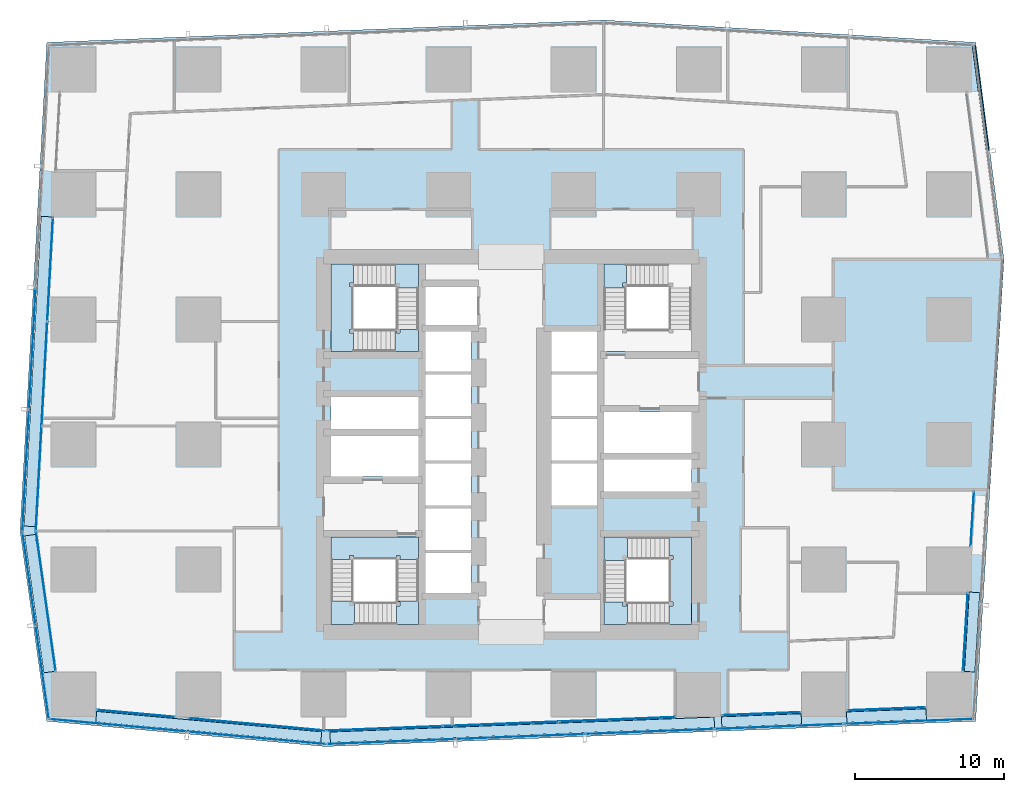
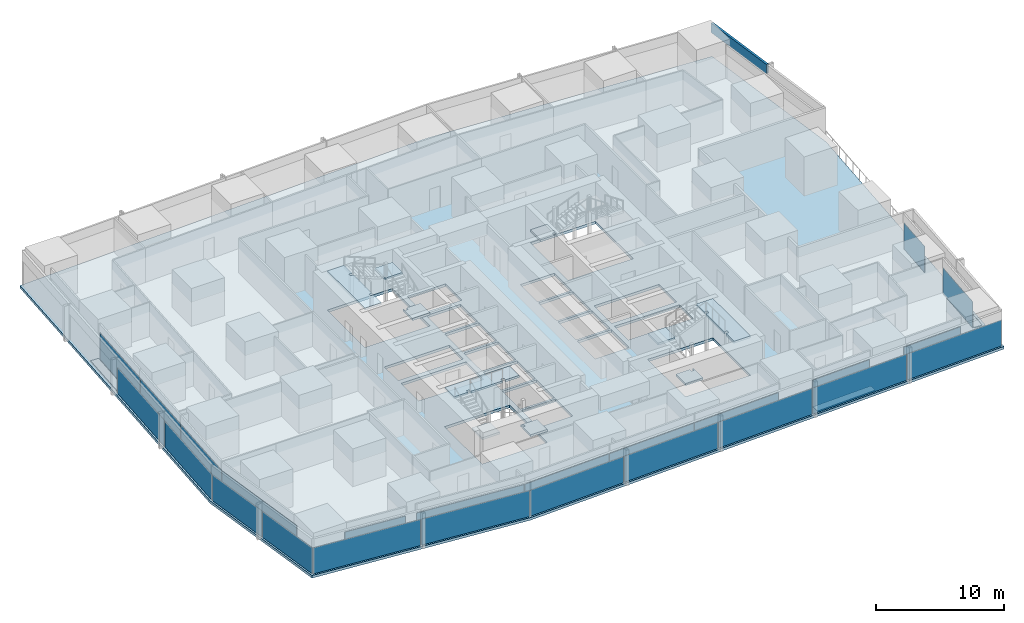
# One storey, part 25 of 38: 31 plates, 11 slabs, 1 member, 18 elements without a shape of their own.
"""IFC4 building model written with IfcOpenShell, lengths in metres."""

from ifc_helpers import new_model, si_unit, direction, frame, origin, origin_2d, place, context, subcontext, project, spatial, polyline, rectangle, hollow_rectangle, outline, extrude, material, layer, layer_set, material_profile, profile_set, type_object, element, aggregate, save


model = new_model("IFC4")

# Units and contexts
model_context = context("Model", 3, precision=1e-05, world=origin(), true_north=direction((0.0, 1.0)))
body_context = subcontext(model_context, "Body", "Model", "MODEL_VIEW")
ifc_project = project(units=[si_unit("LENGTHUNIT", "METRE"), si_unit("AREAUNIT", "SQUARE_METRE"), si_unit("VOLUMEUNIT", "CUBIC_METRE"), si_unit("PLANEANGLEUNIT", "RADIAN"), si_unit("MASSUNIT", "GRAM", prefix="KILO")], contexts=[model_context])

# Site, building, storey
site_placement = place(None, origin())
site = spatial("IfcSite", under=ifc_project, at=site_placement, CompositionType="ELEMENT")
building_placement = place(site_placement, origin())
building = spatial("IfcBuilding", under=site, at=building_placement, Name="Rekha Terrace Tower", CompositionType="ELEMENT")
storey_placement = place(building_placement, frame((0.0, 0.0, 159.050048828125)))
storey = spatial("IfcBuildingStorey", under=building, at=storey_placement, Name="L40", CompositionType="ELEMENT", Elevation=159.050048828125)

# Curtain wall, member
ifc_material_1 = material(Name="Aluminium framing", Category="aluminium")
curtain_wall_type_1 = type_object("IfcCurtainWallType", Name="CW2 double skin outer glazing", PredefinedType="USERDEFINED", material=ifc_material_1)
curtain_wall_1_placement = place(storey_placement, origin())
curtain_wall_1 = element("IfcCurtainWall", 1, at=curtain_wall_1_placement, inside=storey, type_object=curtain_wall_type_1, Name="CW2 double skin outer glazing", ObjectType="DOUBLE SKIN OUTER GLAZING", PredefinedType="USERDEFINED")
ifc_material_2 = material(Name="Insulated aluminium spandrel box", Category="aluminium")
ifc_material_profile = material_profile(ifc_material_2, hollow_rectangle(XDim=0.199951171875, YDim=0.89990234375, WallThickness=0.0029296875, at=origin_2d()), Name="AL SPANDREL BOX 200x900")
ifc_profile_set = profile_set([ifc_material_profile], Name="Insulated aluminium spandrel box")
member_type = type_object("IfcMemberType", Name="CW2 spandrel transom 200 x 900", PredefinedType="USERDEFINED", material=ifc_profile_set)
member_placement = place(storey_placement, frame((69.787109375, 53.315185546875, 2.949951171875), z_axis=(-0.129119086745, 0.991629094691, 0.0), x_axis=(-0.991629094691, -0.129119086745, 0.0)))
member = element("IfcMember", 2, at=member_placement, type_object=member_type, Name="CW2 spandrel transom 2", ObjectType="TRANSOM", PredefinedType="USERDEFINED", context=body_context, shape_type="SweptSolid", body=[
    extrude(hollow_rectangle(XDim=0.199951171875, YDim=0.89990234375, WallThickness=0.0029296875, at=origin_2d()), origin(), (0.0, 0.0, 1.0), 7.11328125),
])
aggregate(curtain_wall_1, [member])

# Curtain wall, plate
curtain_wall_type_2 = type_object("IfcCurtainWallType", Name="CW1 double skin inner glazing", PredefinedType="USERDEFINED", material=ifc_material_1)
curtain_wall_2_placement = place(storey_placement, origin())
curtain_wall_2 = element("IfcCurtainWall", 3, at=curtain_wall_2_placement, inside=storey, type_object=curtain_wall_type_2, Name="CW1 double skin inner glazing", ObjectType="DOUBLE SKIN INNER GLAZING", PredefinedType="USERDEFINED")
ifc_material_3 = material(Name="Double-glazed low-e unit 32", Category="glass")
ifc_layer_1 = layer(ifc_material_3, 0.031982421875)
ifc_layer_set_1 = layer_set([ifc_layer_1], Name="Double-glazed low-e unit 32")
plate_type_1 = type_object("IfcPlateType", Name="CW1 jumbo vision panel, double-glazed low-e unit 32", PredefinedType="CURTAIN_PANEL", material=ifc_layer_set_1)
plate_1_placement = place(storey_placement, frame((12.60009765625, 15.51953125, 0.0), z_axis=(0.0, 0.0, 1.0), x_axis=(0.995901923134, -0.090439811468, 0.0)))
plate_1 = element("IfcPlate", 4, at=plate_1_placement, type_object=plate_type_1, Name="CW1 panel 1.1", PredefinedType="CURTAIN_PANEL", context=body_context, shape_type="SweptSolid", body=[
    extrude(rectangle(XDim=5.23486328125, YDim=0.031982421875, at=origin_2d()), origin(), (0.0, 0.0, 1.0), 2.5),
])
aggregate(curtain_wall_2, [plate_1])

curtain_wall_3_placement = place(storey_placement, origin())
curtain_wall_3 = element("IfcCurtainWall", 5, at=curtain_wall_3_placement, inside=storey, type_object=curtain_wall_type_2, Name="CW1 double skin inner glazing", ObjectType="DOUBLE SKIN INNER GLAZING", PredefinedType="USERDEFINED")
plate_2_placement = place(storey_placement, frame((20.745361328125, 14.77978515625, 0.0), z_axis=(0.0, 0.0, 1.0), x_axis=(0.995901923143, -0.090439811364, 0.0)))
plate_2 = element("IfcPlate", 6, at=plate_2_placement, type_object=plate_type_1, Name="CW1 panel 1.1", PredefinedType="CURTAIN_PANEL", context=body_context, shape_type="SweptSolid", body=[
    extrude(rectangle(XDim=9.241943359375, YDim=0.031982421875, at=origin_2d()), origin(), (0.0, 0.0, 1.0), 2.5),
])
aggregate(curtain_wall_3, [plate_2])

# Curtain wall, plates
curtain_wall_4_placement = place(storey_placement, origin())
curtain_wall_4 = element("IfcCurtainWall", 7, at=curtain_wall_4_placement, inside=storey, type_object=curtain_wall_type_2, Name="CW1 double skin inner glazing", ObjectType="DOUBLE SKIN INNER GLAZING", PredefinedType="USERDEFINED")
plate_3_placement = place(storey_placement, frame((29.285888671875, 14.51513671875, 0.0), z_axis=(0.0, 0.0, 1.0), x_axis=(0.999243498917, 0.038889971345, 0.0)))
plate_3 = element("IfcPlate", 8, at=plate_3_placement, type_object=plate_type_1, Name="CW1 panel 1.1", PredefinedType="CURTAIN_PANEL", context=body_context, shape_type="SweptSolid", body=[
    extrude(rectangle(XDim=7.7529296875, YDim=0.031982421875, at=origin_2d()), origin(), (0.0, 0.0, 1.0), 2.5),
])
plate_4_placement = place(storey_placement, frame((37.1142578125, 14.81982421875, 0.0), z_axis=(0.0, 0.0, 1.0), x_axis=(0.999243498917, 0.038889971345, 0.0)))
plate_4 = element("IfcPlate", 9, at=plate_4_placement, type_object=plate_type_1, Name="CW1 panel 2.1", PredefinedType="CURTAIN_PANEL", context=body_context, shape_type="SweptSolid", body=[
    extrude(rectangle(XDim=7.785400390625, YDim=0.031982421875, at=origin_2d()), origin(), (0.0, 0.0, 1.0), 2.5),
])
plate_5_placement = place(storey_placement, frame((44.9423828125, 15.12451171875, 0.0), z_axis=(0.0, 0.0, 1.0), x_axis=(0.999243498917, 0.038889971345, 0.0)))
plate_5 = element("IfcPlate", 10, at=plate_5_placement, type_object=plate_type_1, Name="CW1 panel 3.1", PredefinedType="CURTAIN_PANEL", context=body_context, shape_type="SweptSolid", body=[
    extrude(rectangle(XDim=7.7529296875, YDim=0.031982421875, at=origin_2d()), origin(), (0.0, 0.0, 1.0), 2.5),
])
aggregate(curtain_wall_4, [plate_3, plate_4, plate_5])

# Curtain wall, plate
curtain_wall_5_placement = place(storey_placement, origin())
curtain_wall_5 = element("IfcCurtainWall", 11, at=curtain_wall_5_placement, inside=storey, type_object=curtain_wall_type_2, Name="CW1 double skin inner glazing", ObjectType="DOUBLE SKIN INNER GLAZING", PredefinedType="USERDEFINED")
plate_6_placement = place(storey_placement, frame((54.60009765625, 15.500244140625, 0.0), z_axis=(0.0, 0.0, 1.0), x_axis=(0.999243498918, 0.038889971328, 0.0)))
plate_6 = element("IfcPlate", 12, at=plate_6_placement, type_object=plate_type_1, Name="CW1 panel 1.1", PredefinedType="CURTAIN_PANEL", context=body_context, shape_type="SweptSolid", body=[
    extrude(rectangle(XDim=5.226806640625, YDim=0.031982421875, at=origin_2d()), origin(), (0.0, 0.0, 1.0), 2.5),
])
aggregate(curtain_wall_5, [plate_6])

curtain_wall_6_placement = place(storey_placement, origin())
curtain_wall_6 = element("IfcCurtainWall", 13, at=curtain_wall_6_placement, inside=storey, type_object=curtain_wall_type_2, Name="CW1 double skin inner glazing", ObjectType="DOUBLE SKIN INNER GLAZING", PredefinedType="USERDEFINED")
plate_7_placement = place(storey_placement, frame((63.0, 15.827392578125, 0.0), z_axis=(0.0, 0.0, 1.0), x_axis=(0.999243498918, 0.038889971328, 0.0)))
plate_7 = element("IfcPlate", 14, at=plate_7_placement, type_object=plate_type_1, Name="CW1 panel 1.1", PredefinedType="CURTAIN_PANEL", context=body_context, shape_type="SweptSolid", body=[
    extrude(rectangle(XDim=5.226806640625, YDim=0.031982421875, at=origin_2d()), origin(), (0.0, 0.0, 1.0), 2.5),
])
aggregate(curtain_wall_6, [plate_7])

curtain_wall_7_placement = place(storey_placement, origin())
curtain_wall_7 = element("IfcCurtainWall", 15, at=curtain_wall_7_placement, inside=storey, type_object=curtain_wall_type_2, Name="CW1 double skin inner glazing", ObjectType="DOUBLE SKIN INNER GLAZING", PredefinedType="USERDEFINED")
plate_8_placement = place(storey_placement, frame((68.3056640625, 21.0, 0.0), z_axis=(0.0, 0.0, 1.0), x_axis=(0.061159803166, 0.998127987022, 0.0)))
plate_8 = element("IfcPlate", 16, at=plate_8_placement, type_object=plate_type_1, Name="CW1 panel 1.1", PredefinedType="CURTAIN_PANEL", context=body_context, shape_type="SweptSolid", body=[
    extrude(rectangle(XDim=5.228515625, YDim=0.031982421875, at=origin_2d()), origin(), (0.0, 0.0, 1.0), 2.5),
])
aggregate(curtain_wall_7, [plate_8])

curtain_wall_8_placement = place(storey_placement, origin())
curtain_wall_8 = element("IfcCurtainWall", 17, at=curtain_wall_8_placement, inside=storey, type_object=curtain_wall_type_2, Name="CW1 double skin inner glazing", ObjectType="DOUBLE SKIN INNER GLAZING", PredefinedType="USERDEFINED")
plate_9_placement = place(storey_placement, frame((68.771484375, 28.600341796875, 0.0), z_axis=(0.0, 0.0, 1.0), x_axis=(0.061159803096, 0.998127987026, 0.0)))
plate_9 = element("IfcPlate", 18, at=plate_9_placement, type_object=plate_type_1, Name="CW1 panel 1.1", PredefinedType="CURTAIN_PANEL", context=body_context, shape_type="SweptSolid", body=[
    extrude(rectangle(XDim=3.63232421875, YDim=0.031982421875, at=origin_2d()), origin(), (0.0, 0.0, 1.0), 2.5),
])
aggregate(curtain_wall_8, [plate_9])

# Curtain wall, plates
curtain_wall_9_placement = place(storey_placement, origin())
curtain_wall_9 = element("IfcCurtainWall", 19, at=curtain_wall_9_placement, inside=storey, type_object=curtain_wall_type_2, Name="CW1 double skin inner glazing", ObjectType="DOUBLE SKIN INNER GLAZING", PredefinedType="USERDEFINED")
plate_10_placement = place(storey_placement, frame((6.825439453125, 45.348388671875, 0.0), z_axis=(0.0, 0.0, 1.0), x_axis=(-0.05474235269, -0.998500513181, 0.0)))
plate_10 = element("IfcPlate", 20, at=plate_10_placement, type_object=plate_type_1, Name="CW1 panel 1.1", PredefinedType="CURTAIN_PANEL", context=body_context, shape_type="SweptSolid", body=[
    extrude(rectangle(XDim=6.93359375, YDim=0.031982421875, at=origin_2d()), origin(), (0.0, 0.0, 1.0), 2.5),
])
plate_11_placement = place(storey_placement, frame((6.44140625, 38.343994140625, 0.0), z_axis=(0.0, 0.0, 1.0), x_axis=(-0.05474235269, -0.998500513181, 0.0)))
plate_11 = element("IfcPlate", 21, at=plate_11_placement, type_object=plate_type_1, Name="CW1 panel 2.1", PredefinedType="CURTAIN_PANEL", context=body_context, shape_type="SweptSolid", body=[
    extrude(rectangle(XDim=6.966064453125, YDim=0.031982421875, at=origin_2d()), origin(), (0.0, 0.0, 1.0), 2.5),
])
plate_12_placement = place(storey_placement, frame((6.0556640625, 31.307373046875, 0.0), z_axis=(0.0, 0.0, 1.0), x_axis=(-0.05474235269, -0.998500513181, 0.0)))
plate_12 = element("IfcPlate", 22, at=plate_12_placement, type_object=plate_type_1, Name="CW1 panel 3.1", PredefinedType="CURTAIN_PANEL", context=body_context, shape_type="SweptSolid", body=[
    extrude(rectangle(XDim=6.99853515625, YDim=0.031982421875, at=origin_2d()), origin(), (0.0, 0.0, 1.0), 2.5),
])
aggregate(curtain_wall_9, [plate_10, plate_11, plate_12])

# Curtain wall, plate
curtain_wall_10_placement = place(storey_placement, origin())
curtain_wall_10 = element("IfcCurtainWall", 23, at=curtain_wall_10_placement, inside=storey, type_object=curtain_wall_type_2, Name="CW1 double skin inner glazing", ObjectType="DOUBLE SKIN INNER GLAZING", PredefinedType="USERDEFINED")
plate_13_placement = place(storey_placement, frame((6.5322265625, 23.0732421875, 0.0), z_axis=(0.0, 0.0, 1.0), x_axis=(0.139597048047, -0.990208394317, 0.0)))
plate_13 = element("IfcPlate", 24, at=plate_13_placement, type_object=plate_type_1, Name="CW1 panel 1.1", PredefinedType="CURTAIN_PANEL", context=body_context, shape_type="SweptSolid", body=[
    extrude(rectangle(XDim=9.444091796875, YDim=0.031982421875, at=origin_2d()), origin(), (0.0, 0.0, 1.0), 2.5),
])
aggregate(curtain_wall_10, [plate_13])

# Curtain wall, plates
curtain_wall_11_placement = place(storey_placement, origin())
curtain_wall_11 = element("IfcCurtainWall", 25, at=curtain_wall_11_placement, inside=storey, type_object=curtain_wall_type_1, Name="CW2 double skin outer glazing", ObjectType="DOUBLE SKIN OUTER GLAZING", PredefinedType="USERDEFINED")
ifc_material_4 = material(Name="Toughened single glazing 12", Category="glass")
ifc_layer_2 = layer(ifc_material_4, 0.011962890625)
ifc_layer_set_2 = layer_set([ifc_layer_2], Name="Toughened single glazing 12")
plate_type_2 = type_object("IfcPlateType", Name="CW2 jumbo vision panel, toughened single glazing 12", PredefinedType="CURTAIN_PANEL", material=ifc_layer_set_2)
plate_14_placement = place(storey_placement, frame((11.406494140625, 14.72412109375, 0.0), z_axis=(0.0, 0.0, 1.0), x_axis=(0.995901923137, -0.090439811433, 0.0)))
plate_14 = element("IfcPlate", 26, at=plate_14_placement, type_object=plate_type_2, Name="CW2 panel 1.1", PredefinedType="CURTAIN_PANEL", context=body_context, shape_type="SweptSolid", body=[
    extrude(rectangle(XDim=9.2099609375, YDim=0.011962890625, at=origin_2d()), origin(), (0.0, 0.0, 1.0), 2.5),
])
plate_15_placement = place(storey_placement, frame((20.6982421875, 13.88037109375, 0.0), z_axis=(0.0, 0.0, 1.0), x_axis=(0.995901923137, -0.090439811433, 0.0)))
plate_15 = element("IfcPlate", 27, at=plate_15_placement, type_object=plate_type_2, Name="CW2 panel 2.1", PredefinedType="CURTAIN_PANEL", context=body_context, shape_type="SweptSolid", body=[
    extrude(rectangle(XDim=9.2900390625, YDim=0.011962890625, at=origin_2d()), origin(), (0.0, 0.0, 1.0), 2.5),
])
aggregate(curtain_wall_11, [plate_14, plate_15])

curtain_wall_12_placement = place(storey_placement, origin())
curtain_wall_12 = element("IfcCurtainWall", 28, at=curtain_wall_12_placement, inside=storey, type_object=curtain_wall_type_1, Name="CW2 double skin outer glazing", ObjectType="DOUBLE SKIN OUTER GLAZING", PredefinedType="USERDEFINED")
plate_16_placement = place(storey_placement, frame((29.696533203125, 13.63037109375, 0.0), z_axis=(0.0, 0.0, 1.0), x_axis=(0.999243498917, 0.038889971345, 0.0)))
plate_16 = element("IfcPlate", 29, at=plate_16_placement, type_object=plate_type_2, Name="CW2 panel 1.1", PredefinedType="CURTAIN_PANEL", context=body_context, shape_type="SweptSolid", body=[
    extrude(rectangle(XDim=8.591552734375, YDim=0.011962890625, at=origin_2d()), origin(), (0.0, 0.0, 1.0), 2.5),
])
plate_17_placement = place(storey_placement, frame((38.381591796875, 13.968505859375, 0.0), z_axis=(0.0, 0.0, 1.0), x_axis=(0.999243498917, 0.038889971345, 0.0)))
plate_17 = element("IfcPlate", 30, at=plate_17_placement, type_object=plate_type_2, Name="CW2 panel 2.1", PredefinedType="CURTAIN_PANEL", context=body_context, shape_type="SweptSolid", body=[
    extrude(rectangle(XDim=8.631591796875, YDim=0.011962890625, at=origin_2d()), origin(), (0.0, 0.0, 1.0), 2.5),
])
plate_18_placement = place(storey_placement, frame((47.086669921875, 14.307373046875, 0.0), z_axis=(0.0, 0.0, 1.0), x_axis=(0.999243498917, 0.038889971345, 0.0)))
plate_18 = element("IfcPlate", 31, at=plate_18_placement, type_object=plate_type_2, Name="CW2 panel 3.1", PredefinedType="CURTAIN_PANEL", context=body_context, shape_type="SweptSolid", body=[
    extrude(rectangle(XDim=8.631591796875, YDim=0.011962890625, at=origin_2d()), origin(), (0.0, 0.0, 1.0), 2.5),
])
plate_19_placement = place(storey_placement, frame((55.791748046875, 14.64599609375, 0.0), z_axis=(0.0, 0.0, 1.0), x_axis=(0.999243498917, 0.038889971345, 0.0)))
plate_19 = element("IfcPlate", 32, at=plate_19_placement, type_object=plate_type_2, Name="CW2 panel 4.1", PredefinedType="CURTAIN_PANEL", context=body_context, shape_type="SweptSolid", body=[
    extrude(rectangle(XDim=8.631591796875, YDim=0.011962890625, at=origin_2d()), origin(), (0.0, 0.0, 1.0), 2.5),
])
plate_20_placement = place(storey_placement, frame((64.5166015625, 14.985595703125, 0.0), z_axis=(0.0, 0.0, 1.0), x_axis=(0.999243498917, 0.038889971345, 0.0)))
plate_20 = element("IfcPlate", 33, at=plate_20_placement, type_object=plate_type_2, Name="CW2 panel 5.1", PredefinedType="CURTAIN_PANEL", context=body_context, shape_type="SweptSolid", body=[
    extrude(rectangle(XDim=8.671630859375, YDim=0.011962890625, at=origin_2d()), origin(), (0.0, 0.0, 1.0), 2.5),
])
aggregate(curtain_wall_12, [plate_16, plate_17, plate_18, plate_19, plate_20])

curtain_wall_13_placement = place(storey_placement, origin())
curtain_wall_13 = element("IfcCurtainWall", 34, at=curtain_wall_13_placement, inside=storey, type_object=curtain_wall_type_1, Name="CW2 double skin outer glazing", ObjectType="DOUBLE SKIN OUTER GLAZING", PredefinedType="USERDEFINED")
plate_21_placement = place(storey_placement, frame((5.63232421875, 40.026611328125, 0.0), z_axis=(0.0, 0.0, 1.0), x_axis=(-0.054742352707, -0.99850051318, 0.0)))
plate_21 = element("IfcPlate", 35, at=plate_21_placement, type_object=plate_type_2, Name="CW2 panel 3.1", PredefinedType="CURTAIN_PANEL", context=body_context, shape_type="SweptSolid", body=[
    extrude(rectangle(XDim=8.10009765625, YDim=0.011962890625, at=origin_2d()), origin(), (0.0, 0.0, 1.0), 2.5),
])
plate_22_placement = place(storey_placement, frame((5.183349609375, 31.8388671875, 0.0), z_axis=(0.0, 0.0, 1.0), x_axis=(-0.054742352707, -0.99850051318, 0.0)))
plate_22 = element("IfcPlate", 36, at=plate_22_placement, type_object=plate_type_2, Name="CW2 panel 4.1", PredefinedType="CURTAIN_PANEL", context=body_context, shape_type="SweptSolid", body=[
    extrude(rectangle(XDim=8.14013671875, YDim=0.011962890625, at=origin_2d()), origin(), (0.0, 0.0, 1.0), 2.5),
])
aggregate(curtain_wall_13, [plate_21, plate_22])

curtain_wall_14_placement = place(storey_placement, origin())
curtain_wall_14 = element("IfcCurtainWall", 37, at=curtain_wall_14_placement, inside=storey, type_object=curtain_wall_type_1, Name="CW2 double skin outer glazing", ObjectType="DOUBLE SKIN OUTER GLAZING", PredefinedType="USERDEFINED")
plate_23_placement = place(storey_placement, frame((5.408447265625, 24.598388671875, 0.0), z_axis=(0.0, 0.0, 1.0), x_axis=(0.139597048082, -0.990208394312, 0.0)))
plate_23 = element("IfcPlate", 38, at=plate_23_placement, type_object=plate_type_2, Name="CW2 panel 1.1", PredefinedType="CURTAIN_PANEL", context=body_context, shape_type="SweptSolid", body=[
    extrude(rectangle(XDim=6.255859375, YDim=0.011962890625, at=origin_2d()), origin(), (0.0, 0.0, 1.0), 2.5),
])
plate_24_placement = place(storey_placement, frame((6.298583984375, 18.284912109375, 0.0), z_axis=(0.0, 0.0, 1.0), x_axis=(0.139597048082, -0.990208394312, 0.0)))
plate_24 = element("IfcPlate", 39, at=plate_24_placement, type_object=plate_type_2, Name="CW2 panel 2.1", PredefinedType="CURTAIN_PANEL", context=body_context, shape_type="SweptSolid", body=[
    extrude(rectangle(XDim=6.3359375, YDim=0.011962890625, at=origin_2d()), origin(), (0.0, 0.0, 1.0), 2.5),
])
aggregate(curtain_wall_14, [plate_23, plate_24])

# Plates
ifc_material_5 = material(Name="Galvanised steel open grating", Category="steel")
ifc_layer_3 = layer(ifc_material_5, 0.050048828125)
ifc_layer_set_3 = layer_set([ifc_layer_3], Name="Galvanised steel open grating")
plate_type_3 = type_object("IfcPlateType", Name="GT1 cavity walkway grating 50", PredefinedType="USERDEFINED", material=ifc_layer_set_3)
plate_25_placement = place(storey_placement, frame((17.47900390625, 14.62451171875, 0.0), z_axis=(0.0, 0.0, 1.0), x_axis=(0.99590192314, -0.090439811399, 0.0)))
element("IfcPlate", 40, at=plate_25_placement, inside=storey, type_object=plate_type_3, Name="Cavity walkway grating", ObjectType="CAVITY WALKWAY GRATING", PredefinedType="USERDEFINED", context=body_context, shape_type="SweptSolid", body=[
    extrude(rectangle(XDim=15.17822265625, YDim=0.705078125, at=origin_2d()), origin(), (0.0, 0.0, 1.0), 0.050048828125),
])
plate_26_placement = place(storey_placement, frame((38.537353515625, 14.4248046875, 0.0), z_axis=(0.0, 0.0, 1.0), x_axis=(0.999243498917, 0.038889971345, 0.0)))
element("IfcPlate", 41, at=plate_26_placement, inside=storey, type_object=plate_type_3, Name="Cavity walkway grating", ObjectType="CAVITY WALKWAY GRATING", PredefinedType="USERDEFINED", context=body_context, shape_type="SweptSolid", body=[
    extrude(rectangle(XDim=25.8232421875, YDim=0.705078125, at=origin_2d()), origin(), (0.0, 0.0, 1.0), 0.050048828125),
])
plate_27_placement = place(storey_placement, frame((54.610107421875, 15.05029296875, 0.0), z_axis=(0.0, 0.0, 1.0), x_axis=(0.999243498917, 0.038889971345, 0.0)))
element("IfcPlate", 42, at=plate_27_placement, inside=storey, type_object=plate_type_3, Name="Cavity walkway grating", ObjectType="CAVITY WALKWAY GRATING", PredefinedType="USERDEFINED", context=body_context, shape_type="SweptSolid", body=[
    extrude(rectangle(XDim=5.355224609375, YDim=0.705078125, at=origin_2d()), origin(), (0.0, 0.0, 1.0), 0.050048828125),
])
plate_28_placement = place(storey_placement, frame((63.003662109375, 15.377197265625, 0.0), z_axis=(0.0, 0.0, 1.0), x_axis=(0.999243498917, 0.038889971345, 0.0)))
element("IfcPlate", 43, at=plate_28_placement, inside=storey, type_object=plate_type_3, Name="Cavity walkway grating", ObjectType="CAVITY WALKWAY GRATING", PredefinedType="USERDEFINED", context=body_context, shape_type="SweptSolid", body=[
    extrude(rectangle(XDim=5.342529296875, YDim=0.705078125, at=origin_2d()), origin(), (0.0, 0.0, 1.0), 0.050048828125),
])
plate_29_placement = place(storey_placement, frame((68.756103515625, 20.991943359375, 0.0), z_axis=(0.0, 0.0, 1.0), x_axis=(0.061159803131, 0.998127987024, 0.0)))
element("IfcPlate", 44, at=plate_29_placement, inside=storey, type_object=plate_type_3, Name="Cavity walkway grating", ObjectType="CAVITY WALKWAY GRATING", PredefinedType="USERDEFINED", context=body_context, shape_type="SweptSolid", body=[
    extrude(rectangle(XDim=5.340576171875, YDim=0.705078125, at=origin_2d()), origin(), (0.0, 0.0, 1.0), 0.050048828125),
])
plate_30_placement = place(storey_placement, frame((5.9990234375, 38.495849609375, 0.0), z_axis=(0.0, 0.0, 1.0), x_axis=(-0.05474235269, -0.998500513181, 0.0)))
element("IfcPlate", 45, at=plate_30_placement, inside=storey, type_object=plate_type_3, Name="Cavity walkway grating", ObjectType="CAVITY WALKWAY GRATING", PredefinedType="USERDEFINED", context=body_context, shape_type="SweptSolid", body=[
    extrude(rectangle(XDim=20.835693359375, YDim=0.705078125, at=origin_2d()), origin(), (0.0, 0.0, 1.0), 0.050048828125),
])
plate_31_placement = place(storey_placement, frame((6.1025390625, 22.898193359375, 0.0), z_axis=(0.0, 0.0, 1.0), x_axis=(0.139597048064, -0.990208394315, 0.0)))
element("IfcPlate", 46, at=plate_31_placement, inside=storey, type_object=plate_type_3, Name="Cavity walkway grating", ObjectType="CAVITY WALKWAY GRATING", PredefinedType="USERDEFINED", context=body_context, shape_type="SweptSolid", body=[
    extrude(rectangle(XDim=9.288818359375, YDim=0.705078125, at=origin_2d()), origin(), (0.0, 0.0, 1.0), 0.050048828125),
])

# Stair, slabs
ifc_material_6 = material(Name="Concrete M40", Category="concrete")
stair_type = type_object("IfcStairType", Name="ST30 stair, 30 risers of 125, going 310, 1500 wide flights, 3 flights", PredefinedType="HALF_TURN_STAIR", material=ifc_material_6)
stair_1_placement = place(storey_placement, origin())
stair_1 = element("IfcStair", 47, at=stair_1_placement, inside=storey, type_object=stair_type, Name="Stair ST1 L40 to L41", PredefinedType="HALF_TURN_STAIR")
ifc_layer_4 = layer(ifc_material_6, 0.199951171875)
ifc_layer_set_4 = layer_set([ifc_layer_4], Name="Concrete M40")
slab_type_1 = type_object("IfcSlabType", Name="LD1 200 concrete stair landing", PredefinedType="LANDING", material=ifc_layer_set_4)
slab_1_placement = place(storey_placement, frame((0.0, 0.0, 1.050048828125)))
slab_1 = element("IfcSlab", 48, at=slab_1_placement, type_object=slab_type_1, Name="ST1 landing 1", PredefinedType="LANDING", context=body_context, shape_type="SweptSolid", body=[
    extrude(outline(polyline([(30.074951171875, 21.5), (31.574951171875, 21.5), (31.574951171875, 23.0849609375), (30.074951171875, 23.0849609375), (30.074951171875, 23.0), (30.324951171875, 23.0), (30.324951171875, 22.75), (30.074951171875, 22.75), (30.074951171875, 21.5)])), origin(), (0.0, 0.0, 1.0), 0.199951171875),
])
slab_2_placement = place(storey_placement, frame((0.0, 0.0, 2.300048828125)))
slab_2 = element("IfcSlab", 49, at=slab_2_placement, type_object=slab_type_1, Name="ST1 landing 2", PredefinedType="LANDING", context=body_context, shape_type="SweptSolid", body=[
    extrude(outline(polyline([(27.199951171875, 23.0849609375), (25.699951171875, 23.0849609375), (25.699951171875, 21.5), (27.284912109375, 21.5), (27.284912109375, 23.0), (27.199951171875, 23.0), (27.199951171875, 23.0849609375)])), origin(), (0.0, 0.0, 1.0), 0.199951171875),
])
slab_3_placement = place(storey_placement, frame((0.0, 0.0, 3.550048828125)))
slab_3 = element("IfcSlab", 50, at=slab_3_placement, type_object=slab_type_1, Name="ST1 landing 3", PredefinedType="LANDING", context=body_context, shape_type="SweptSolid", body=[
    extrude(outline(polyline([(31.574951171875, 25.875), (31.574951171875, 27.375), (25.699951171875, 27.375), (25.699951171875, 25.875), (26.949951171875, 25.875), (26.949951171875, 26.125), (27.199951171875, 26.125), (27.199951171875, 25.875), (30.074951171875, 25.875), (30.074951171875, 26.125), (30.324951171875, 26.125), (30.324951171875, 25.875), (31.574951171875, 25.875)])), origin(), (0.0, 0.0, 1.0), 0.199951171875),
])
aggregate(stair_1, [slab_1, slab_2, slab_3])

# Stair, slab
stair_2_placement = place(storey_placement, origin())
stair_2 = element("IfcStair", 51, at=stair_2_placement, inside=storey, type_object=stair_type, Name="Stair ST2 L40 to L41", PredefinedType="HALF_TURN_STAIR")
slab_4_placement = place(storey_placement, frame((0.0, 0.0, 1.050048828125)))
slab_4 = element("IfcSlab", 52, at=slab_4_placement, type_object=slab_type_1, Name="ST2 landing 1", PredefinedType="LANDING", context=body_context, shape_type="SweptSolid", body=[
    extrude(outline(polyline([(45.52490234375, 45.699951171875), (44.02490234375, 45.699951171875), (44.02490234375, 44.114990234375), (45.52490234375, 44.114990234375), (45.52490234375, 44.199951171875), (45.27490234375, 44.199951171875), (45.27490234375, 44.449951171875), (45.52490234375, 44.449951171875), (45.52490234375, 45.699951171875)])), origin(), (0.0, 0.0, 1.0), 0.199951171875),
])
aggregate(stair_2, [slab_4])

# Stair, slabs
stair_3_placement = place(storey_placement, origin())
stair_3 = element("IfcStair", 53, at=stair_3_placement, inside=storey, type_object=stair_type, Name="Stair ST3 L40 to L41", PredefinedType="HALF_TURN_STAIR")
slab_5_placement = place(storey_placement, frame((0.0, 0.0, 1.050048828125)))
slab_5 = element("IfcSlab", 54, at=slab_5_placement, type_object=slab_type_1, Name="ST3 landing 1", PredefinedType="LANDING", context=body_context, shape_type="SweptSolid", body=[
    extrude(outline(polyline([(44.02490234375, 23.0), (44.02490234375, 21.5), (45.610107421875, 21.5), (45.610107421875, 23.0), (45.52490234375, 23.0), (45.52490234375, 22.75), (45.27490234375, 22.75), (45.27490234375, 23.0), (44.02490234375, 23.0)])), origin(), (0.0, 0.0, 1.0), 0.199951171875),
])
slab_6_placement = place(storey_placement, frame((0.0, 0.0, 2.300048828125)))
slab_6 = element("IfcSlab", 55, at=slab_6_placement, type_object=slab_type_1, Name="ST3 landing 2", PredefinedType="LANDING", context=body_context, shape_type="SweptSolid", body=[
    extrude(outline(polyline([(45.610107421875, 25.875), (45.610107421875, 27.375), (44.02490234375, 27.375), (44.02490234375, 25.7900390625), (45.52490234375, 25.7900390625), (45.52490234375, 25.875), (45.610107421875, 25.875)])), origin(), (0.0, 0.0, 1.0), 0.199951171875),
])
slab_7_placement = place(storey_placement, frame((0.0, 0.0, 3.550048828125)))
slab_7 = element("IfcSlab", 56, at=slab_7_placement, type_object=slab_type_1, Name="ST3 landing 3", PredefinedType="LANDING", context=body_context, shape_type="SweptSolid", body=[
    extrude(outline(polyline([(48.39990234375, 21.5), (49.89990234375, 21.5), (49.89990234375, 27.375), (48.39990234375, 27.375), (48.39990234375, 26.125), (48.64990234375, 26.125), (48.64990234375, 25.875), (48.39990234375, 25.875), (48.39990234375, 23.0), (48.64990234375, 23.0), (48.64990234375, 22.75), (48.39990234375, 22.75), (48.39990234375, 21.5)])), origin(), (0.0, 0.0, 1.0), 0.199951171875),
])
aggregate(stair_3, [slab_5, slab_6, slab_7])

stair_4_placement = place(storey_placement, origin())
stair_4 = element("IfcStair", 57, at=stair_4_placement, inside=storey, type_object=stair_type, Name="Stair ST4 L40 to L41", PredefinedType="HALF_TURN_STAIR")
slab_8_placement = place(storey_placement, frame((0.0, 0.0, 1.050048828125)))
slab_8 = element("IfcSlab", 58, at=slab_8_placement, type_object=slab_type_1, Name="ST4 landing 1", PredefinedType="LANDING", context=body_context, shape_type="SweptSolid", body=[
    extrude(outline(polyline([(31.574951171875, 41.324951171875), (31.574951171875, 39.824951171875), (29.989990234375, 39.824951171875), (29.989990234375, 41.324951171875), (30.074951171875, 41.324951171875), (30.074951171875, 41.074951171875), (30.324951171875, 41.074951171875), (30.324951171875, 41.324951171875), (31.574951171875, 41.324951171875)])), origin(), (0.0, 0.0, 1.0), 0.199951171875),
])
slab_9_placement = place(storey_placement, frame((0.0, 0.0, 2.300048828125)))
slab_9 = element("IfcSlab", 59, at=slab_9_placement, type_object=slab_type_1, Name="ST4 landing 2", PredefinedType="LANDING", context=body_context, shape_type="SweptSolid", body=[
    extrude(outline(polyline([(29.989990234375, 44.199951171875), (29.989990234375, 45.699951171875), (31.574951171875, 45.699951171875), (31.574951171875, 44.114990234375), (30.074951171875, 44.114990234375), (30.074951171875, 44.199951171875), (29.989990234375, 44.199951171875)])), origin(), (0.0, 0.0, 1.0), 0.199951171875),
])
slab_10_placement = place(storey_placement, frame((0.0, 0.0, 3.550048828125)))
slab_10 = element("IfcSlab", 60, at=slab_10_placement, type_object=slab_type_1, Name="ST4 landing 3", PredefinedType="LANDING", context=body_context, shape_type="SweptSolid", body=[
    extrude(outline(polyline([(27.199951171875, 39.824951171875), (25.699951171875, 39.824951171875), (25.699951171875, 45.699951171875), (27.199951171875, 45.699951171875), (27.199951171875, 44.449951171875), (26.949951171875, 44.449951171875), (26.949951171875, 44.199951171875), (27.199951171875, 44.199951171875), (27.199951171875, 41.324951171875), (26.949951171875, 41.324951171875), (26.949951171875, 41.074951171875), (27.199951171875, 41.074951171875), (27.199951171875, 39.824951171875)])), origin(), (0.0, 0.0, 1.0), 0.199951171875),
])
aggregate(stair_4, [slab_8, slab_9, slab_10])

# Slab
ifc_material_7 = material(Name="Concrete M50", Category="concrete")
ifc_layer_5 = layer(ifc_material_7, 0.25)
ifc_layer_set_5 = layer_set([ifc_layer_5], Name="Concrete M50")
slab_type_2 = type_object("IfcSlabType", Name="SL4 250 post-tensioned flat plate", PredefinedType="FLOOR", material=ifc_layer_set_5)
slab_11_placement = place(storey_placement, frame((0.0, 0.0, -0.25)))
element("IfcSlab", 61, at=slab_11_placement, inside=storey, type_object=slab_type_2, Name="Post-tensioned flat plate L40", PredefinedType="FLOOR", context=body_context, shape_type="SweptSolid", body=[
    extrude(outline(polyline([(4.800048828125, 27.76806640625), (6.60009765625, 15.0), (25.320068359375, 13.300048828125), (69.0, 15.0), (70.89990234375, 46.008056640625), (69.0, 60.60009765625), (44.0400390625, 62.10009765625), (6.60009765625, 60.60009765625), (4.800048828125, 27.76806640625)]), holes=[polyline([(31.574951171875, 27.375), (31.574951171875, 21.5), (25.699951171875, 21.5), (25.699951171875, 27.375), (31.574951171875, 27.375)]), polyline([(35.10009765625, 26.300048828125), (35.10009765625, 23.625), (32.02490234375, 23.625), (32.02490234375, 26.300048828125), (35.10009765625, 26.300048828125)]), polyline([(35.10009765625, 29.300048828125), (35.10009765625, 26.5), (32.02490234375, 26.5), (32.02490234375, 29.300048828125), (35.10009765625, 29.300048828125)]), polyline([(35.10009765625, 32.300048828125), (35.10009765625, 29.5), (32.02490234375, 29.5), (32.02490234375, 32.300048828125), (35.10009765625, 32.300048828125)]), polyline([(31.574951171875, 34.175048828125), (31.574951171875, 31.425048828125), (25.699951171875, 31.425048828125), (25.699951171875, 34.175048828125), (31.574951171875, 34.175048828125)]), polyline([(35.10009765625, 35.300048828125), (35.10009765625, 32.5), (32.02490234375, 32.5), (32.02490234375, 35.300048828125), (35.10009765625, 35.300048828125)]), polyline([(31.574951171875, 36.77490234375), (31.574951171875, 34.625), (25.699951171875, 34.625), (25.699951171875, 36.77490234375), (31.574951171875, 36.77490234375)]), polyline([(35.10009765625, 35.5), (32.02490234375, 35.5), (32.02490234375, 38.300048828125), (35.10009765625, 38.300048828125), (35.10009765625, 35.5)]), polyline([(35.10009765625, 38.5), (32.02490234375, 38.5), (32.02490234375, 41.175048828125), (35.10009765625, 41.175048828125), (35.10009765625, 38.5)]), polyline([(31.574951171875, 45.699951171875), (31.574951171875, 39.824951171875), (25.699951171875, 39.824951171875), (25.699951171875, 45.699951171875), (31.574951171875, 45.699951171875)]), polyline([(49.89990234375, 27.375), (49.89990234375, 21.5), (44.02490234375, 21.5), (44.02490234375, 27.375), (49.89990234375, 27.375)]), polyline([(43.574951171875, 32.300048828125), (43.574951171875, 29.5), (40.5, 29.5), (40.5, 32.300048828125), (43.574951171875, 32.300048828125)]), polyline([(49.89990234375, 30.425048828125), (44.02490234375, 30.425048828125), (44.02490234375, 32.574951171875), (49.89990234375, 32.574951171875), (49.89990234375, 30.425048828125)]), polyline([(43.574951171875, 32.5), (40.5, 32.5), (40.5, 35.300048828125), (43.574951171875, 35.300048828125), (43.574951171875, 32.5)]), polyline([(49.89990234375, 35.77490234375), (49.89990234375, 33.02490234375), (44.02490234375, 33.02490234375), (44.02490234375, 35.77490234375), (49.89990234375, 35.77490234375)]), polyline([(43.574951171875, 38.300048828125), (43.574951171875, 35.5), (40.5, 35.5), (40.5, 38.300048828125), (43.574951171875, 38.300048828125)]), polyline([(43.574951171875, 41.175048828125), (43.574951171875, 38.5), (40.5, 38.5), (40.5, 41.175048828125), (43.574951171875, 41.175048828125)]), polyline([(49.89990234375, 39.824951171875), (44.02490234375, 39.824951171875), (44.02490234375, 45.699951171875), (49.89990234375, 45.699951171875), (49.89990234375, 39.824951171875)]), polyline([(35.5, 41.625), (32.02490234375, 41.625), (32.02490234375, 44.175048828125), (35.5, 44.175048828125), (35.5, 41.625)])]), origin(), (0.0, 0.0, 1.0), 0.25),
])

save(model, "model.ifc")
